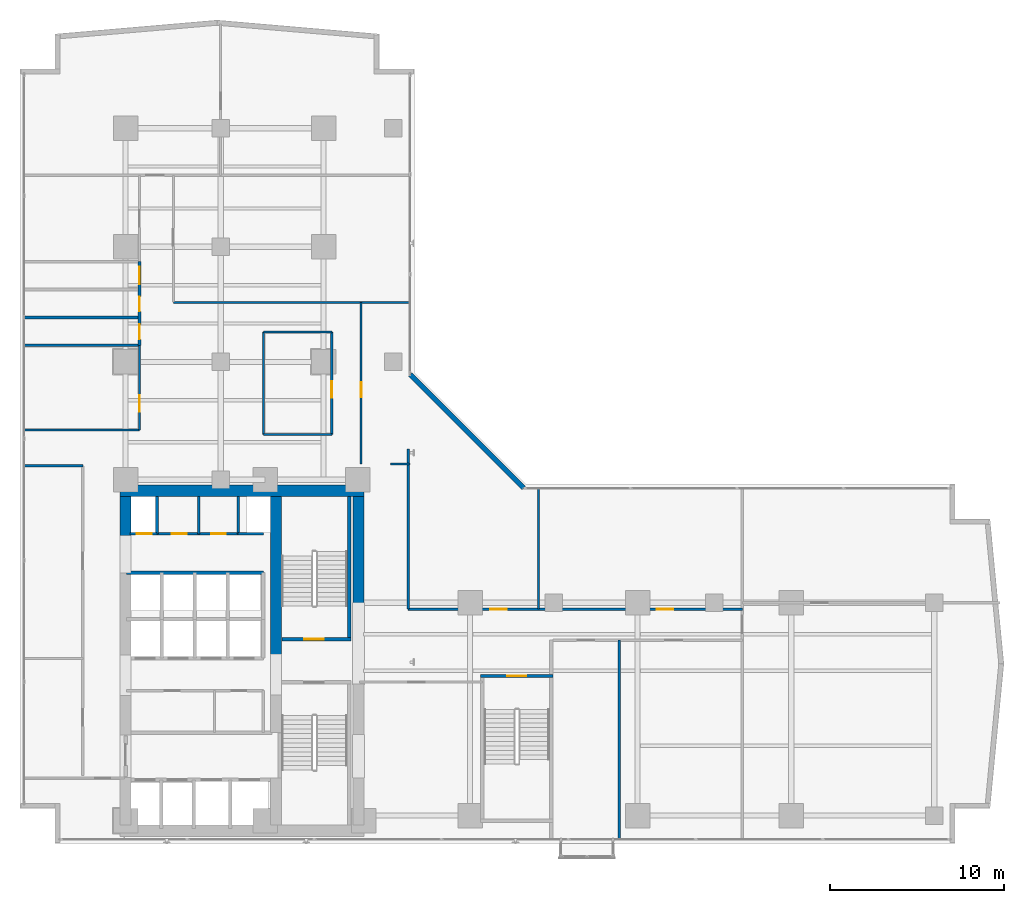
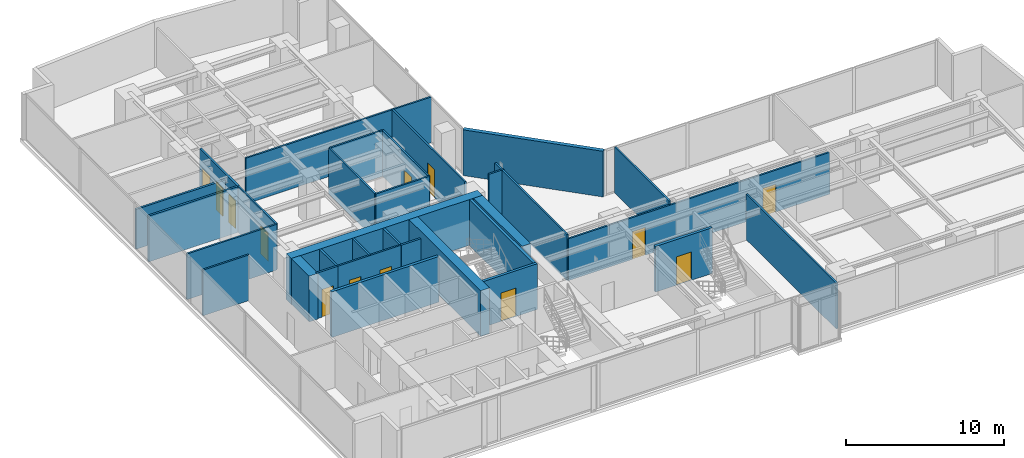
# One storey, part 22 of 29: 32 walls, 13 doors, 13 openings.
"""IFC4 building model written with IfcOpenShell, lengths in metres."""

from ifc_helpers import new_model, si_unit, direction, frame, frame_2d, origin, place, context, subcontext, project, spatial, rectangle, extrude, material, layer, layer_set, type_object, element, fill, save


model = new_model("IFC4")

# Units and contexts
model_context = context("Model", 3, precision=1e-05, world=origin(), true_north=direction((0.0, 1.0)))
body_context = subcontext(model_context, "Body", "Model", "MODEL_VIEW")
ifc_project = project(units=[si_unit("LENGTHUNIT", "METRE"), si_unit("AREAUNIT", "SQUARE_METRE"), si_unit("VOLUMEUNIT", "CUBIC_METRE"), si_unit("PLANEANGLEUNIT", "RADIAN"), si_unit("MASSUNIT", "GRAM", prefix="KILO")], contexts=[model_context])

# Site, building, storey
site_placement = place(None, origin())
site = spatial("IfcSite", under=ifc_project, at=site_placement, CompositionType="ELEMENT")
building_placement = place(site_placement, origin())
building = spatial("IfcBuilding", under=site, at=building_placement, Name="Kolvaren Waterfront Exchange", CompositionType="ELEMENT")
storey_placement = place(building_placement, frame((0.0, 0.0, 129.699951171875)))
storey = spatial("IfcBuildingStorey", under=building, at=storey_placement, Name="L33", CompositionType="ELEMENT", Elevation=129.699951171875)

# Wall
ifc_material_1 = material(Name="Precast concrete C40/50", Category="concrete")
ifc_layer_1 = layer(ifc_material_1, 0.280029296875, Name="Precast concrete C40/50")
ifc_layer_set_1 = layer_set([ifc_layer_1], Name="Precast concrete C40/50")
wall_type_1 = type_object("IfcWallType", Name="ARC-EXT-TERR-280", PredefinedType="SOLIDWALL", material=ifc_layer_set_1)
wall_1_placement = place(storey_placement, frame((30.284912109375, 23.97509765625, 0.0), z_axis=(0.0, 0.0, 1.0), x_axis=(-0.707106781187, 0.707106781187, 0.0)))
element("IfcWall", 1, at=wall_1_placement, inside=storey, type_object=wall_type_1, Name="L33 notched corner spandrel pier ELBOW", PredefinedType="SOLIDWALL", context=body_context, shape_type="SweptSolid", body=[
    extrude(rectangle(XDim=9.20654296875, YDim=0.280029296875, at=frame_2d((4.603271484375, 0.0))), origin(), (0.0, 0.0, 1.0), 3.5400390625),
])

# Wall, opening, door
ifc_layer_2 = layer(ifc_material_1, 0.199951171875, Name="Precast concrete C40/50")
ifc_layer_set_2 = layer_set([ifc_layer_2], Name="Precast concrete C40/50")
wall_type_2 = type_object("IfcWallType", Name="ARC-FIRE-200", PredefinedType="PARTITIONING", material=ifc_layer_set_2)
wall_2_placement = place(storey_placement, frame((16.409912109375, 15.300048828125, 0.0), z_axis=(0.0, 0.0, 1.0), x_axis=(1.0, 0.0, 0.0)))
wall_2 = element("IfcWall", 2, at=wall_2_placement, inside=storey, type_object=wall_type_2, Name="L33 interior wall PW-L33-ST2-THROAT-N", PredefinedType="PARTITIONING", context=body_context, shape_type="SweptSolid", body=[
    extrude(rectangle(XDim=3.9501953125, YDim=0.199951171875, at=frame_2d((1.97509765625, 0.0))), origin(), (0.0, 0.0, 1.0), 3.5400390625),
])
opening_1_placement = place(wall_2_placement, frame((1.293701171875, 0.0, 0.0)))
opening_1 = element("IfcOpeningElement", 3, at=opening_1_placement, cuts=wall_2, Name="Opening FD2", PredefinedType="OPENING", context=body_context, shape_type="SweptSolid", body=[
    extrude(rectangle(XDim=1.10009765625, YDim=2.199951171875, at=frame_2d((0.550048828125, 1.10009765625))), frame((0.0, 0.10986328125, 0.0), z_axis=(0.0, -1.0, 0.0), x_axis=(1.0, 0.0, 0.0)), (0.0, 0.0, 1.0), 0.219970703125),
])
ifc_material_2 = material(Name="Pressed steel smoke-seal fire door", Category="steel")
door_type_1 = type_object("IfcDoorType", Name="ARC-FD-1100", OperationType="NOTDEFINED", PredefinedType="DOOR", material=ifc_material_2)
door_1_placement = place(opening_1_placement, origin())
door_1 = element("IfcDoor", 4, at=door_1_placement, inside=storey, type_object=door_type_1, Name="L33 door DR-L33-ST2-IN (FD2)", OperationType="SINGLE_SWING_RIGHT", OverallHeight=2.199951171875, OverallWidth=1.10009765625, PredefinedType="DOOR", context=body_context, shape_type="SweptSolid", body=[
    extrude(rectangle(XDim=1.10009765625, YDim=2.199951171875, at=frame_2d((0.550048828125, 1.10009765625))), frame((0.0, 0.02490234375, 0.0), z_axis=(0.0, -1.0, 0.0), x_axis=(1.0, 0.0, 0.0)), (0.0, 0.0, 1.0), 0.050048828125),
])
fill(opening_1, door_1)

# Wall, openings, doors
ifc_material_3 = material(Name="Acoustic gypsum steel stud", Category="steel")
ifc_layer_3 = layer(ifc_material_3, 0.125, Name="Acoustic gypsum steel stud")
ifc_layer_set_3 = layer_set([ifc_layer_3], Name="Acoustic gypsum steel stud")
wall_type_3 = type_object("IfcWallType", Name="ARC-PART-125", PredefinedType="PARTITIONING", material=ifc_layer_set_3)
wall_3_placement = place(storey_placement, frame((9.25, 21.35009765625, 0.0), z_axis=(0.0, 0.0, 1.0), x_axis=(1.0, 0.0, 0.0)))
wall_3 = element("IfcWall", 5, at=wall_3_placement, inside=storey, type_object=wall_type_3, Name="L33 interior wall PW-L33-SVC-EX-S", PredefinedType="PARTITIONING", context=body_context, shape_type="SweptSolid", body=[
    extrude(rectangle(XDim=4.64990234375, YDim=0.125, at=frame_2d((2.324951171875, 0.0))), origin(), (0.0, 0.0, 1.0), 3.5400390625),
])
opening_2_placement = place(wall_3_placement, frame((0.85009765625, 0.0, 0.0)))
opening_2 = element("IfcOpeningElement", 6, at=opening_2_placement, cuts=wall_3, Name="Opening D01", PredefinedType="OPENING", context=body_context, shape_type="SweptSolid", body=[
    extrude(rectangle(XDim=0.85009765625, YDim=2.14990234375, at=frame_2d((0.425048828125, 1.074951171875))), frame((0.0, 0.072509765625, 0.0), z_axis=(0.0, -1.0, 0.0), x_axis=(1.0, 0.0, 0.0)), (0.0, 0.0, 1.0), 0.14501953125),
])
opening_3_placement = place(wall_3_placement, frame((3.10009765625, 0.0, 0.0)))
opening_3 = element("IfcOpeningElement", 7, at=opening_3_placement, cuts=wall_3, Name="Opening D01", PredefinedType="OPENING", context=body_context, shape_type="SweptSolid", body=[
    extrude(rectangle(XDim=0.85009765625, YDim=2.14990234375, at=frame_2d((0.425048828125, 1.074951171875))), frame((0.0, 0.072509765625, 0.0), z_axis=(0.0, -1.0, 0.0), x_axis=(1.0, 0.0, 0.0)), (0.0, 0.0, 1.0), 0.14501953125),
])
ifc_material_4 = material(Name="Oak veneer timber leaf", Category="wood")
door_type_2 = type_object("IfcDoorType", Name="ARC-DR-900", OperationType="NOTDEFINED", PredefinedType="DOOR", material=ifc_material_4)
door_2_placement = place(opening_2_placement, origin())
door_2 = element("IfcDoor", 8, at=door_2_placement, inside=storey, type_object=door_type_2, Name="L33 door DR-L33-SVC-DR-1 (D01)", OperationType="SINGLE_SWING_RIGHT", OverallHeight=2.14990234375, OverallWidth=0.85009765625, PredefinedType="DOOR", context=body_context, shape_type="SweptSolid", body=[
    extrude(rectangle(XDim=0.85009765625, YDim=2.14990234375, at=frame_2d((0.425048828125, 1.074951171875))), frame((0.0, 0.02490234375, 0.0), z_axis=(0.0, -1.0, 0.0), x_axis=(1.0, 0.0, 0.0)), (0.0, 0.0, 1.0), 0.050048828125),
])
fill(opening_2, door_2)
door_3_placement = place(opening_3_placement, origin())
door_3 = element("IfcDoor", 9, at=door_3_placement, inside=storey, type_object=door_type_2, Name="L33 door DR-L33-SVC-DR-2 (D01)", OperationType="SINGLE_SWING_LEFT", OverallHeight=2.14990234375, OverallWidth=0.85009765625, PredefinedType="DOOR", context=body_context, shape_type="SweptSolid", body=[
    extrude(rectangle(XDim=0.85009765625, YDim=2.14990234375, at=frame_2d((0.425048828125, 1.074951171875))), frame((0.0, 0.02490234375, 0.0), z_axis=(0.0, -1.0, 0.0), x_axis=(1.0, 0.0, 0.0)), (0.0, 0.0, 1.0), 0.050048828125),
])
fill(opening_3, door_3)

# Walls
wall_4_placement = place(storey_placement, frame((11.64990234375, 21.35009765625, 0.0), z_axis=(0.0, 0.0, 1.0), x_axis=(0.0, 1.0, 0.0)))
element("IfcWall", 10, at=wall_4_placement, inside=storey, type_object=wall_type_3, Name="L33 interior wall PW-L33-SVC-EX-M1", PredefinedType="PARTITIONING", context=body_context, shape_type="SweptSolid", body=[
    extrude(rectangle(XDim=2.1298828125, YDim=0.125, at=frame_2d((1.06494140625, 0.0))), origin(), (0.0, 0.0, 1.0), 3.5400390625),
])
for number, where, z_axis, x_axis, name in (
    (11, (15.35009765625, 27.050048828125, 0.0), (0.0, 0.0, 1.0), (1.0, 0.0, 0.0), "L33 interior wall PW-L33-ISL-S"),
    (12, (15.35009765625, 32.919921875, 0.0), (0.0, 0.0, 1.0), (1.0, 0.0, 0.0), "L33 interior wall PW-L33-ISL-N"),
):
    element("IfcWall", number, at=place(storey_placement, frame(where, z_axis=z_axis, x_axis=x_axis)), inside=storey, type_object=wall_type_3, Name=name, PredefinedType="PARTITIONING", context=body_context, shape_type="SweptSolid", body=[
        extrude(rectangle(XDim=3.919921875, YDim=0.125, at=frame_2d((1.9599609375, 0.0))), origin(), (0.0, 0.0, 1.0), 3.5400390625),
    ])
wall_5_placement = place(storey_placement, frame((15.35009765625, 27.050048828125, 0.0), z_axis=(0.0, 0.0, 1.0), x_axis=(0.0, 1.0, 0.0)))
element("IfcWall", 13, at=wall_5_placement, inside=storey, type_object=wall_type_3, Name="L33 interior wall PW-L33-ISL-W", PredefinedType="PARTITIONING", context=body_context, shape_type="SweptSolid", body=[
    extrude(rectangle(XDim=5.869873046875, YDim=0.125, at=frame_2d((2.93505859375, 0.0))), origin(), (0.0, 0.0, 1.0), 3.5400390625),
])

# Wall, opening, door
wall_6_placement = place(storey_placement, frame((19.27001953125, 27.050048828125, 0.0), z_axis=(0.0, 0.0, 1.0), x_axis=(0.0, 1.0, 0.0)))
wall_6 = element("IfcWall", 14, at=wall_6_placement, inside=storey, type_object=wall_type_3, Name="L33 interior wall PW-L33-ISL-E", PredefinedType="PARTITIONING", context=body_context, shape_type="SweptSolid", body=[
    extrude(rectangle(XDim=5.869873046875, YDim=0.125, at=frame_2d((2.93505859375, 0.0))), origin(), (0.0, 0.0, 1.0), 3.5400390625),
])
opening_4_placement = place(wall_6_placement, frame((2.106201171875, 0.0, 0.0)))
opening_4 = element("IfcOpeningElement", 15, at=opening_4_placement, cuts=wall_6, Name="Opening D02", PredefinedType="OPENING", context=body_context, shape_type="SweptSolid", body=[
    extrude(rectangle(XDim=0.949951171875, YDim=2.14990234375, at=frame_2d((0.47509765625, 1.074951171875))), frame((0.0, 0.072509765625, 0.0), z_axis=(0.0, -1.0, 0.0), x_axis=(1.0, 0.0, 0.0)), (0.0, 0.0, 1.0), 0.14501953125),
])
ifc_material_5 = material(Name="Oak veneer acoustic timber", Category="wood")
door_type_3 = type_object("IfcDoorType", Name="ARC-DR-950", OperationType="NOTDEFINED", PredefinedType="DOOR", material=ifc_material_5)
door_4_placement = place(opening_4_placement, origin())
door_4 = element("IfcDoor", 16, at=door_4_placement, inside=storey, type_object=door_type_3, Name="L33 door DR-L33-ISL-D (D02)", OperationType="SINGLE_SWING_RIGHT", OverallHeight=2.14990234375, OverallWidth=0.949951171875, PredefinedType="DOOR", context=body_context, shape_type="SweptSolid", body=[
    extrude(rectangle(XDim=0.949951171875, YDim=2.14990234375, at=frame_2d((0.47509765625, 1.074951171875))), frame((0.0, 0.02490234375, 0.0), z_axis=(0.0, -1.0, 0.0), x_axis=(1.0, 0.0, 0.0)), (0.0, 0.0, 1.0), 0.050048828125),
])
fill(opening_4, door_4)

wall_7_placement = place(storey_placement, frame((8.25, 27.300048828125, 0.0), z_axis=(0.0, 0.0, 1.0), x_axis=(0.0, 1.0, 0.0)))
wall_7 = element("IfcWall", 17, at=wall_7_placement, inside=storey, type_object=wall_type_3, Name="L33 interior wall PW-L33-PREWC-E", PredefinedType="PARTITIONING", context=body_context, shape_type="SweptSolid", body=[
    extrude(rectangle(XDim=4.849853515625, YDim=0.125, at=frame_2d((2.4248046875, 0.0))), origin(), (0.0, 0.0, 1.0), 3.5400390625),
])
opening_5_placement = place(wall_7_placement, frame((1.050048828125, 0.0, 0.0)))
opening_5 = element("IfcOpeningElement", 18, at=opening_5_placement, cuts=wall_7, Name="Opening D02", PredefinedType="OPENING", context=body_context, shape_type="SweptSolid", body=[
    extrude(rectangle(XDim=0.949951171875, YDim=2.14990234375, at=frame_2d((0.47509765625, 1.074951171875))), frame((0.0, 0.072509765625, 0.0), z_axis=(0.0, -1.0, 0.0), x_axis=(1.0, 0.0, 0.0)), (0.0, 0.0, 1.0), 0.14501953125),
])
door_5_placement = place(opening_5_placement, origin())
door_5 = element("IfcDoor", 19, at=door_5_placement, inside=storey, type_object=door_type_3, Name="L33 door DR-L33-PREWC-D (D02)", OperationType="SINGLE_SWING_LEFT", OverallHeight=2.14990234375, OverallWidth=0.949951171875, PredefinedType="DOOR", context=body_context, shape_type="SweptSolid", body=[
    extrude(rectangle(XDim=0.949951171875, YDim=2.14990234375, at=frame_2d((0.47509765625, 1.074951171875))), frame((0.0, 0.02490234375, 0.0), z_axis=(0.0, -1.0, 0.0), x_axis=(1.0, 0.0, 0.0)), (0.0, 0.0, 1.0), 0.050048828125),
])
fill(opening_5, door_5)

# Walls
wall_8_placement = place(storey_placement, frame((1.639892578125, 27.300048828125, 0.0), z_axis=(0.0, 0.0, 1.0), x_axis=(1.0, 0.0, 0.0)))
element("IfcWall", 20, at=wall_8_placement, inside=storey, type_object=wall_type_3, Name="L33 interior wall PW-L33-PREWC-S", PredefinedType="PARTITIONING", context=body_context, shape_type="SweptSolid", body=[
    extrude(rectangle(XDim=6.610107421875, YDim=0.125, at=frame_2d((3.30517578125, 0.0))), origin(), (0.0, 0.0, 1.0), 3.5400390625),
])
wall_9_placement = place(storey_placement, frame((1.639892578125, 25.25, 0.0), z_axis=(0.0, 0.0, 1.0), x_axis=(1.0, 0.0, 0.0)))
element("IfcWall", 21, at=wall_9_placement, inside=storey, type_object=wall_type_3, Name="L33 interior wall PW-L33-WFLANK-N", PredefinedType="PARTITIONING", context=body_context, shape_type="SweptSolid", body=[
    extrude(rectangle(XDim=3.360107421875, YDim=0.125, at=frame_2d((1.68017578125, 0.0))), origin(), (0.0, 0.0, 1.0), 3.5400390625),
])

# Wall, opening, door
wall_10_placement = place(storey_placement, frame((20.949951171875, 25.35009765625, 0.0), z_axis=(0.0, 0.0, 1.0), x_axis=(0.0, 1.0, 0.0)))
wall_10 = element("IfcWall", 22, at=wall_10_placement, inside=storey, type_object=wall_type_3, Name="L33 interior wall PW-L33-RFLANK-W", PredefinedType="PARTITIONING", context=body_context, shape_type="SweptSolid", body=[
    extrude(rectangle(XDim=9.25, YDim=0.125, at=frame_2d((4.625, 0.0))), origin(), (0.0, 0.0, 1.0), 3.5400390625),
])
opening_6_placement = place(wall_10_placement, frame((3.8330078125, 0.0, 0.0)))
opening_6 = element("IfcOpeningElement", 23, at=opening_6_placement, cuts=wall_10, Name="Opening D01", PredefinedType="OPENING", context=body_context, shape_type="SweptSolid", body=[
    extrude(rectangle(XDim=0.85009765625, YDim=2.14990234375, at=frame_2d((0.425048828125, 1.074951171875))), frame((0.0, 0.072509765625, 0.0), z_axis=(0.0, -1.0, 0.0), x_axis=(1.0, 0.0, 0.0)), (0.0, 0.0, 1.0), 0.14501953125),
])
door_6_placement = place(opening_6_placement, origin())
door_6 = element("IfcDoor", 24, at=door_6_placement, inside=storey, type_object=door_type_2, Name="L33 door DR-L33-RFLANK-D (D01)", OperationType="SINGLE_SWING_LEFT", OverallHeight=2.14990234375, OverallWidth=0.85009765625, PredefinedType="DOOR", context=body_context, shape_type="SweptSolid", body=[
    extrude(rectangle(XDim=0.85009765625, YDim=2.14990234375, at=frame_2d((0.425048828125, 1.074951171875))), frame((0.0, 0.02490234375, 0.0), z_axis=(0.0, -1.0, 0.0), x_axis=(1.0, 0.0, 0.0)), (0.0, 0.0, 1.0), 0.050048828125),
])
fill(opening_6, door_6)

# Walls
wall_11_placement = place(storey_placement, frame((22.64990234375, 25.35009765625, 0.0), z_axis=(0.0, 0.0, 1.0), x_axis=(1.0, 0.0, 0.0)))
element("IfcWall", 25, at=wall_11_placement, inside=storey, type_object=wall_type_3, Name="L33 interior wall PW-L33-RFLANK-S", PredefinedType="PARTITIONING", context=body_context, shape_type="SweptSolid", body=[
    extrude(rectangle(XDim=1.110107421875, YDim=0.125, at=frame_2d((0.55517578125, 0.0))), origin(), (0.0, 0.0, 1.0), 3.5400390625),
])
wall_12_placement = place(storey_placement, frame((10.18994140625, 34.60009765625, 0.0), z_axis=(0.0, 0.0, 1.0), x_axis=(1.0, 0.0, 0.0)))
element("IfcWall", 26, at=wall_12_placement, inside=storey, type_object=wall_type_3, Name="L33 interior wall PW-L33-RFLANK-N", PredefinedType="PARTITIONING", context=body_context, shape_type="SweptSolid", body=[
    extrude(rectangle(XDim=13.570068359375, YDim=0.125, at=frame_2d((6.78515625, 0.0))), origin(), (0.0, 0.0, 1.0), 3.5400390625),
])
wall_13_placement = place(storey_placement, frame((35.75, 3.840087890625, 0.0), z_axis=(0.0, 0.0, 1.0), x_axis=(0.0, 1.0, 0.0)))
element("IfcWall", 27, at=wall_13_placement, inside=storey, type_object=wall_type_3, Name="L33 interior wall PW-L33-ES-DIV-1", PredefinedType="PARTITIONING", context=body_context, shape_type="SweptSolid", body=[
    extrude(rectangle(XDim=11.409912109375, YDim=0.125, at=frame_2d((5.705078125, 0.0))), origin(), (0.0, 0.0, 1.0), 3.5400390625),
])
wall_14_placement = place(storey_placement, frame((23.64990234375, 17.030029296875, 0.0), z_axis=(0.0, 0.0, 1.0), x_axis=(0.0, 1.0, 0.0)))
element("IfcWall", 28, at=wall_14_placement, inside=storey, type_object=wall_type_3, Name="L33 interior wall PW-L33-EN-W0", PredefinedType="PARTITIONING", context=body_context, shape_type="SweptSolid", body=[
    extrude(rectangle(XDim=9.169921875, YDim=0.125, at=frame_2d((4.5849609375, 0.0))), origin(), (0.0, 0.0, 1.0), 3.5400390625),
])

# Wall, openings, doors
wall_15_placement = place(storey_placement, frame((23.64990234375, 17.030029296875, 0.0), z_axis=(0.0, 0.0, 1.0), x_axis=(1.0, 0.0, 0.0)))
wall_15 = element("IfcWall", 29, at=wall_15_placement, inside=storey, type_object=wall_type_3, Name="L33 interior wall PW-L33-EN-CORR", PredefinedType="PARTITIONING", context=body_context, shape_type="SweptSolid", body=[
    extrude(rectangle(XDim=19.150146484375, YDim=0.125, at=frame_2d((9.5751953125, 0.0))), origin(), (0.0, 0.0, 1.0), 3.239990234375),
])
opening_7_placement = place(wall_15_placement, frame((4.68994140625, 0.0, 0.0)))
opening_7 = element("IfcOpeningElement", 30, at=opening_7_placement, cuts=wall_15, Name="Opening D02", PredefinedType="OPENING", context=body_context, shape_type="SweptSolid", body=[
    extrude(rectangle(XDim=0.949951171875, YDim=2.14990234375, at=frame_2d((0.47509765625, 1.074951171875))), frame((0.0, 0.072509765625, 0.0), z_axis=(0.0, -1.0, 0.0), x_axis=(1.0, 0.0, 0.0)), (0.0, 0.0, 1.0), 0.14501953125),
])
opening_8_placement = place(wall_15_placement, frame((14.253662109375, 0.0, 0.0)))
opening_8 = element("IfcOpeningElement", 31, at=opening_8_placement, cuts=wall_15, Name="Opening D02", PredefinedType="OPENING", context=body_context, shape_type="SweptSolid", body=[
    extrude(rectangle(XDim=0.949951171875, YDim=2.14990234375, at=frame_2d((0.47509765625, 1.074951171875))), frame((0.0, 0.072509765625, 0.0), z_axis=(0.0, -1.0, 0.0), x_axis=(1.0, 0.0, 0.0)), (0.0, 0.0, 1.0), 0.14501953125),
])
door_7_placement = place(opening_7_placement, origin())
door_7 = element("IfcDoor", 32, at=door_7_placement, inside=storey, type_object=door_type_3, Name="L33 door DR-L33-EN-D-1 (D02)", OperationType="SINGLE_SWING_RIGHT", OverallHeight=2.14990234375, OverallWidth=0.949951171875, PredefinedType="DOOR", context=body_context, shape_type="SweptSolid", body=[
    extrude(rectangle(XDim=0.949951171875, YDim=2.14990234375, at=frame_2d((0.47509765625, 1.074951171875))), frame((0.0, 0.02490234375, 0.0), z_axis=(0.0, -1.0, 0.0), x_axis=(1.0, 0.0, 0.0)), (0.0, 0.0, 1.0), 0.050048828125),
])
fill(opening_7, door_7)
door_8_placement = place(opening_8_placement, origin())
door_8 = element("IfcDoor", 33, at=door_8_placement, inside=storey, type_object=door_type_3, Name="L33 door DR-L33-EN-D-2 (D02)", OperationType="SINGLE_SWING_LEFT", OverallHeight=2.14990234375, OverallWidth=0.949951171875, PredefinedType="DOOR", context=body_context, shape_type="SweptSolid", body=[
    extrude(rectangle(XDim=0.949951171875, YDim=2.14990234375, at=frame_2d((0.47509765625, 1.074951171875))), frame((0.0, 0.02490234375, 0.0), z_axis=(0.0, -1.0, 0.0), x_axis=(1.0, 0.0, 0.0)), (0.0, 0.0, 1.0), 0.050048828125),
])
fill(opening_8, door_8)

# Walls
wall_16_placement = place(storey_placement, frame((31.1201171875, 17.030029296875, 0.0), z_axis=(0.0, 0.0, 1.0), x_axis=(0.0, 1.0, 0.0)))
element("IfcWall", 34, at=wall_16_placement, inside=storey, type_object=wall_type_3, Name="L33 interior wall PW-L33-EN-DIV-1", PredefinedType="PARTITIONING", context=body_context, shape_type="SweptSolid", body=[
    extrude(rectangle(XDim=6.929931640625, YDim=0.125, at=frame_2d((3.46484375, 0.0))), origin(), (0.0, 0.0, 1.0), 3.5400390625),
])
ifc_material_6 = material(Name="Gypsum fireboard steel stud", Category="steel")
ifc_layer_4 = layer(ifc_material_6, 0.14990234375, Name="Gypsum fireboard steel stud")
ifc_layer_set_4 = layer_set([ifc_layer_4], Name="Gypsum fireboard steel stud")
wall_type_4 = type_object("IfcWallType", Name="ARC-PART-150", PredefinedType="PARTITIONING", material=ifc_layer_set_4)
for number, where, z_axis, x_axis, name in (
    (35, (9.25, 21.35009765625, 0.0), (0.0, 0.0, 1.0), (0.0, 1.0, 0.0), "L33 interior wall PW-L33-SVC-R1"),
    (36, (13.89990234375, 21.35009765625, 0.0), (0.0, 0.0, 1.0), (0.0, 1.0, 0.0), "L33 interior wall PW-L33-SVC-R2"),
):
    element("IfcWall", number, at=place(storey_placement, frame(where, z_axis=z_axis, x_axis=x_axis)), inside=storey, type_object=wall_type_4, Name=name, PredefinedType="PARTITIONING", context=body_context, shape_type="SweptSolid", body=[
        extrude(rectangle(XDim=2.1298828125, YDim=0.14990234375, at=frame_2d((1.06494140625, 0.0))), origin(), (0.0, 0.0, 1.0), 3.5400390625),
    ])

# Wall, opening, door
wall_17_placement = place(storey_placement, frame((7.699951171875, 21.35009765625, 0.0), z_axis=(0.0, 0.0, 1.0), x_axis=(1.0, 0.0, 0.0)))
wall_17 = element("IfcWall", 37, at=wall_17_placement, inside=storey, type_object=wall_type_4, Name="L33 interior wall PW-L33-SVC-RE-S", PredefinedType="PARTITIONING", context=body_context, shape_type="SweptSolid", body=[
    extrude(rectangle(XDim=1.550048828125, YDim=0.14990234375, at=frame_2d((0.77490234375, 0.0))), origin(), (0.0, 0.0, 1.0), 3.5400390625),
])
opening_9_placement = place(wall_17_placement, frame((0.389892578125, 0.0, 0.0)))
opening_9 = element("IfcOpeningElement", 38, at=opening_9_placement, cuts=wall_17, Name="Opening FD1", PredefinedType="OPENING", context=body_context, shape_type="SweptSolid", body=[
    extrude(rectangle(XDim=0.85009765625, YDim=2.14990234375, at=frame_2d((0.425048828125, 1.074951171875))), frame((0.0, 0.0849609375, 0.0), z_axis=(0.0, -1.0, 0.0), x_axis=(1.0, 0.0, 0.0)), (0.0, 0.0, 1.0), 0.169921875),
])
ifc_material_7 = material(Name="Pressed steel fire leaf", Category="steel")
door_type_4 = type_object("IfcDoorType", Name="ARC-FD-900", OperationType="NOTDEFINED", PredefinedType="DOOR", material=ifc_material_7)
door_9_placement = place(opening_9_placement, origin())
door_9 = element("IfcDoor", 39, at=door_9_placement, inside=storey, type_object=door_type_4, Name="L33 door DR-L33-RISER-E-DR (FD1)", OperationType="SINGLE_SWING_LEFT", OverallHeight=2.14990234375, OverallWidth=0.85009765625, PredefinedType="DOOR", context=body_context, shape_type="SweptSolid", body=[
    extrude(rectangle(XDim=0.85009765625, YDim=2.14990234375, at=frame_2d((0.425048828125, 1.074951171875))), frame((0.0, 0.02490234375, 0.0), z_axis=(0.0, -1.0, 0.0), x_axis=(1.0, 0.0, 0.0)), (0.0, 0.0, 1.0), 0.050048828125),
])
fill(opening_9, door_9)

# Walls
wall_18_placement = place(storey_placement, frame((13.89990234375, 21.35009765625, 0.0), z_axis=(0.0, 0.0, 1.0), x_axis=(1.0, 0.0, 0.0)))
element("IfcWall", 40, at=wall_18_placement, inside=storey, type_object=wall_type_4, Name="L33 interior wall PW-L33-SVC-RP-S", PredefinedType="PARTITIONING", context=body_context, shape_type="SweptSolid", body=[
    extrude(rectangle(XDim=1.4501953125, YDim=0.14990234375, at=frame_2d((0.72509765625, 0.0))), origin(), (0.0, 0.0, 1.0), 3.5400390625),
])
ifc_material_8 = material(Name="Moisture-resistant gypsum stud")
ifc_layer_5 = layer(ifc_material_8, 0.14990234375, Name="Moisture-resistant gypsum stud")
ifc_layer_set_5 = layer_set([ifc_layer_5], Name="Moisture-resistant gypsum stud")
wall_type_5 = type_object("IfcWallType", Name="ARC-PLUMB-150", PredefinedType="PLUMBINGWALL", material=ifc_layer_set_5)
wall_19_placement = place(storey_placement, frame((1.639892578125, 32.14990234375, 0.0), z_axis=(0.0, 0.0, 1.0), x_axis=(1.0, 0.0, 0.0)))
element("IfcWall", 41, at=wall_19_placement, inside=storey, type_object=wall_type_5, Name="L33 interior wall PW-L33-WC-0", PredefinedType="PLUMBINGWALL", context=body_context, shape_type="SweptSolid", body=[
    extrude(rectangle(XDim=6.610107421875, YDim=0.14990234375, at=frame_2d((3.30517578125, 0.0))), origin(), (0.0, 0.0, 1.0), 3.5400390625),
])

# Wall, openings, doors
wall_20_placement = place(storey_placement, frame((8.25, 32.14990234375, 0.0), z_axis=(0.0, 0.0, 1.0), x_axis=(0.0, 1.0, 0.0)))
wall_20 = element("IfcWall", 42, at=wall_20_placement, inside=storey, type_object=wall_type_5, Name="L33 interior wall PW-L33-WC-E", PredefinedType="PLUMBINGWALL", context=body_context, shape_type="SweptSolid", body=[
    extrude(rectangle(XDim=4.800048828125, YDim=0.14990234375, at=frame_2d((2.39990234375, 0.0))), origin(), (0.0, 0.0, 1.0), 3.5400390625),
])
opening_10_placement = place(wall_20_placement, frame((0.35009765625, 0.0, 0.0)))
opening_10 = element("IfcOpeningElement", 43, at=opening_10_placement, cuts=wall_20, Name="Opening D01", PredefinedType="OPENING", context=body_context, shape_type="SweptSolid", body=[
    extrude(rectangle(XDim=0.85009765625, YDim=2.14990234375, at=frame_2d((0.425048828125, 1.074951171875))), frame((0.0, 0.0849609375, 0.0), z_axis=(0.0, -1.0, 0.0), x_axis=(1.0, 0.0, 0.0)), (0.0, 0.0, 1.0), 0.169921875),
])
opening_11_placement = place(wall_20_placement, frame((1.949951171875, 0.0, 0.0)))
opening_11 = element("IfcOpeningElement", 44, at=opening_11_placement, cuts=wall_20, Name="Opening D01", PredefinedType="OPENING", context=body_context, shape_type="SweptSolid", body=[
    extrude(rectangle(XDim=0.85009765625, YDim=2.14990234375, at=frame_2d((0.425048828125, 1.074951171875))), frame((0.0, 0.0849609375, 0.0), z_axis=(0.0, -1.0, 0.0), x_axis=(1.0, 0.0, 0.0)), (0.0, 0.0, 1.0), 0.169921875),
])
opening_12_placement = place(wall_20_placement, frame((3.5, 0.0, 0.0)))
opening_12 = element("IfcOpeningElement", 45, at=opening_12_placement, cuts=wall_20, Name="Opening D03", PredefinedType="OPENING", context=body_context, shape_type="SweptSolid", body=[
    extrude(rectangle(XDim=1.0, YDim=2.199951171875, at=frame_2d((0.5, 1.10009765625))), frame((0.0, 0.0849609375, 0.0), z_axis=(0.0, -1.0, 0.0), x_axis=(1.0, 0.0, 0.0)), (0.0, 0.0, 1.0), 0.169921875),
])
ifc_material_9 = material(Name="Oak veneer accessible timber", Category="wood")
door_type_5 = type_object("IfcDoorType", Name="ARC-DR-1000", OperationType="NOTDEFINED", PredefinedType="DOOR", material=ifc_material_9)
door_10_placement = place(opening_12_placement, origin())
door_10 = element("IfcDoor", 46, at=door_10_placement, inside=storey, type_object=door_type_5, Name="L33 door DR-L33-WCA-D (D03)", OperationType="SINGLE_SWING_RIGHT", OverallHeight=2.199951171875, OverallWidth=1.0, PredefinedType="DOOR", context=body_context, shape_type="SweptSolid", body=[
    extrude(rectangle(XDim=1.0, YDim=2.199951171875, at=frame_2d((0.5, 1.10009765625))), frame((0.0, 0.02490234375, 0.0), z_axis=(0.0, -1.0, 0.0), x_axis=(1.0, 0.0, 0.0)), (0.0, 0.0, 1.0), 0.050048828125),
])
fill(opening_12, door_10)
door_11_placement = place(opening_10_placement, origin())
door_11 = element("IfcDoor", 47, at=door_11_placement, inside=storey, type_object=door_type_2, Name="L33 door DR-L33-WCM-D (D01)", OperationType="SINGLE_SWING_RIGHT", OverallHeight=2.14990234375, OverallWidth=0.85009765625, PredefinedType="DOOR", context=body_context, shape_type="SweptSolid", body=[
    extrude(rectangle(XDim=0.85009765625, YDim=2.14990234375, at=frame_2d((0.425048828125, 1.074951171875))), frame((0.0, 0.02490234375, 0.0), z_axis=(0.0, -1.0, 0.0), x_axis=(1.0, 0.0, 0.0)), (0.0, 0.0, 1.0), 0.050048828125),
])
fill(opening_10, door_11)
door_12_placement = place(opening_11_placement, origin())
door_12 = element("IfcDoor", 48, at=door_12_placement, inside=storey, type_object=door_type_2, Name="L33 door DR-L33-WCF-D (D01)", OperationType="SINGLE_SWING_LEFT", OverallHeight=2.14990234375, OverallWidth=0.85009765625, PredefinedType="DOOR", context=body_context, shape_type="SweptSolid", body=[
    extrude(rectangle(XDim=0.85009765625, YDim=2.14990234375, at=frame_2d((0.425048828125, 1.074951171875))), frame((0.0, 0.02490234375, 0.0), z_axis=(0.0, -1.0, 0.0), x_axis=(1.0, 0.0, 0.0)), (0.0, 0.0, 1.0), 0.050048828125),
])
fill(opening_11, door_12)

# Walls
wall_21_placement = place(storey_placement, frame((1.639892578125, 33.75, 0.0), z_axis=(0.0, 0.0, 1.0), x_axis=(1.0, 0.0, 0.0)))
element("IfcWall", 49, at=wall_21_placement, inside=storey, type_object=wall_type_5, Name="L33 interior wall PW-L33-WC-1", PredefinedType="PLUMBINGWALL", context=body_context, shape_type="SweptSolid", body=[
    extrude(rectangle(XDim=6.610107421875, YDim=0.14990234375, at=frame_2d((3.30517578125, 0.0))), origin(), (0.0, 0.0, 1.0), 3.090087890625),
])
ifc_material_10 = material(Name="Concrete C40/50", Category="concrete")
ifc_layer_6 = layer(ifc_material_10, 0.199951171875, Name="Concrete C40/50")
ifc_layer_set_6 = layer_set([ifc_layer_6], Name="Concrete C40/50")
wall_type_6 = type_object("IfcWallType", Name="ARC-SHAFT-200", PredefinedType="PARTITIONING", material=ifc_layer_set_6)
wall_22_placement = place(storey_placement, frame((20.260009765625, 15.39990234375, 0.0), z_axis=(0.0, 0.0, 1.0), x_axis=(0.0, 1.0, 0.0)))
element("IfcWall", 50, at=wall_22_placement, inside=storey, type_object=wall_type_6, Name="L33 structural stairwell wall PW-L33-ST2-E", PredefinedType="SHEAR", context=body_context, shape_type="SweptSolid", body=[
    extrude(rectangle(XDim=8.090087890625, YDim=0.199951171875, at=frame_2d((4.044921875, 0.0))), origin(), (0.0, 0.0, 1.0), 3.5400390625),
])

# Wall, opening, door
wall_23_placement = place(storey_placement, frame((27.800048828125, 13.199951171875, 0.0), z_axis=(0.0, 0.0, 1.0), x_axis=(1.0, 0.0, 0.0)))
wall_23 = element("IfcWall", 51, at=wall_23_placement, inside=storey, type_object=wall_type_6, Name="L33 structural stairwell wall PW-L33-ST3-N", PredefinedType="SHEAR", context=body_context, shape_type="SweptSolid", body=[
    extrude(rectangle(XDim=4.159912109375, YDim=0.199951171875, at=frame_2d((2.080078125, 0.0))), origin(), (0.0, 0.0, 1.0), 3.5400390625),
])
opening_13_placement = place(wall_23_placement, frame((1.530029296875, 0.0, 0.0)))
opening_13 = element("IfcOpeningElement", 52, at=opening_13_placement, cuts=wall_23, Name="Opening FD2", PredefinedType="OPENING", context=body_context, shape_type="SweptSolid", body=[
    extrude(rectangle(XDim=1.10009765625, YDim=2.199951171875, at=frame_2d((0.550048828125, 1.10009765625))), frame((0.0, 0.10986328125, 0.0), z_axis=(0.0, -1.0, 0.0), x_axis=(1.0, 0.0, 0.0)), (0.0, 0.0, 1.0), 0.219970703125),
])
door_13_placement = place(opening_13_placement, frame((1.10009765625, 0.0, 0.0), z_axis=(0.0, 0.0, 1.0), x_axis=(-1.0, 0.0, 0.0)))
door_13 = element("IfcDoor", 53, at=door_13_placement, inside=storey, type_object=door_type_1, Name="L33 door DR-L33-ST3-IN (FD2)", OperationType="SINGLE_SWING_LEFT", OverallHeight=2.199951171875, OverallWidth=1.10009765625, PredefinedType="DOOR", context=body_context, shape_type="SweptSolid", body=[
    extrude(rectangle(XDim=1.10009765625, YDim=2.199951171875, at=frame_2d((0.550048828125, 1.10009765625))), frame((0.0, 0.02490234375, 0.0), z_axis=(0.0, -1.0, 0.0), x_axis=(1.0, 0.0, 0.0)), (0.0, 0.0, 1.0), 0.050048828125),
])
fill(opening_13, door_13)

# Walls
wall_24_placement = place(storey_placement, frame((7.5, 19.1201171875, 0.0), z_axis=(0.0, 0.0, 1.0), x_axis=(1.0, 0.0, 0.0)))
element("IfcWall", 54, at=wall_24_placement, inside=storey, type_object=wall_type_6, Name="L33 interior wall PW-L33-PH-N", PredefinedType="PARTITIONING", context=body_context, shape_type="SweptSolid", body=[
    extrude(rectangle(XDim=7.85009765625, YDim=0.199951171875, at=frame_2d((3.925048828125, 0.0))), origin(), (0.0, 0.0, 1.0), 3.5400390625),
])
ifc_material_11 = material(Name="Concrete C60/75", Category="concrete")
ifc_layer_7 = layer(ifc_material_11, 0.64990234375, Name="Concrete C60/75")
ifc_layer_set_7 = layer_set([ifc_layer_7], Name="Concrete C60/75")
wall_type_7 = type_object("IfcWallType", Name="STR-CWALL-650", PredefinedType="SHEAR", material=ifc_layer_set_7)
wall_25_placement = place(storey_placement, frame((7.125, 23.824951171875, 0.0), z_axis=(0.0, 0.0, 1.0), x_axis=(1.0, 0.0, 0.0)))
element("IfcWall", 55, at=wall_25_placement, inside=storey, type_object=wall_type_7, Name="L33 rear-core shear wall N", PredefinedType="SHEAR", context=body_context, shape_type="SweptSolid", body=[
    extrude(rectangle(XDim=14.0, YDim=0.64990234375, at=frame_2d((7.0, 0.0))), origin(), (0.0, 0.0, 1.0), 3.5400390625),
])
wall_26_placement = place(storey_placement, frame((7.449951171875, 21.239990234375, 0.0), z_axis=(0.0, 0.0, 1.0), x_axis=(0.0, 1.0, 0.0)))
element("IfcWall", 56, at=wall_26_placement, inside=storey, type_object=wall_type_7, Name="L33 rear-core shear wall W3", PredefinedType="SHEAR", context=body_context, shape_type="SweptSolid", body=[
    extrude(rectangle(XDim=2.260009765625, YDim=0.64990234375, at=frame_2d((1.1298828125, 0.0))), origin(), (0.0, 0.0, 1.0), 3.5400390625),
])
wall_27_placement = place(storey_placement, frame((20.800048828125, 17.35009765625, 0.0), z_axis=(0.0, 0.0, 1.0), x_axis=(0.0, 1.0, 0.0)))
element("IfcWall", 57, at=wall_27_placement, inside=storey, type_object=wall_type_7, Name="L33 rear-core shear wall E3", PredefinedType="SHEAR", context=body_context, shape_type="SweptSolid", body=[
    extrude(rectangle(XDim=6.14990234375, YDim=0.64990234375, at=frame_2d((3.074951171875, 0.0))), origin(), (0.0, 0.0, 1.0), 3.5400390625),
])
wall_28_placement = place(storey_placement, frame((16.074951171875, 14.39990234375, 0.0), z_axis=(0.0, 0.0, 1.0), x_axis=(0.0, 1.0, 0.0)))
element("IfcWall", 58, at=wall_28_placement, inside=storey, type_object=wall_type_7, Name="L33 rear-core shear wall M3", PredefinedType="SHEAR", context=body_context, shape_type="SweptSolid", body=[
    extrude(rectangle(XDim=9.10009765625, YDim=0.64990234375, at=frame_2d((4.550048828125, 0.0))), origin(), (0.0, 0.0, 1.0), 3.5400390625),
])

save(model, "model.ifc")
